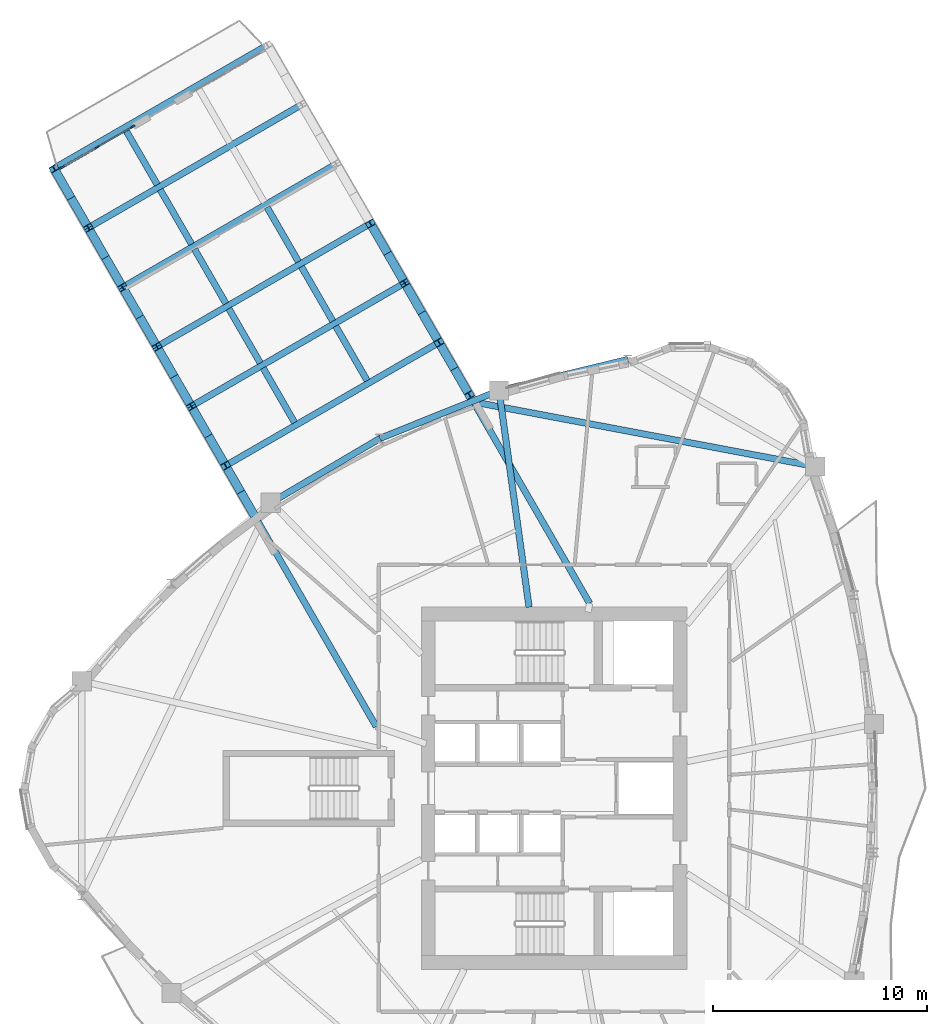
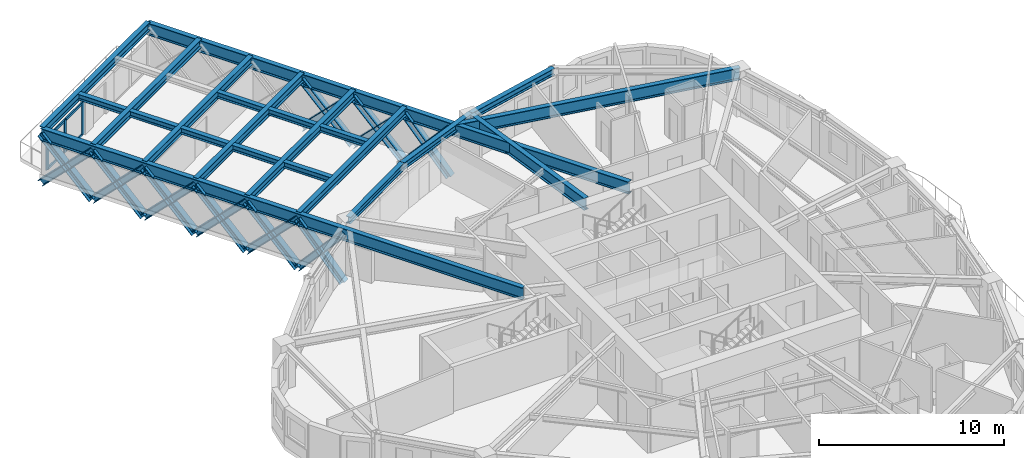
# One storey, part 2 of 14: 25 members, 21 beams, 1 element without a shape of its own.
"""IFC4 building model written with IfcOpenShell, lengths in metres."""

from ifc_helpers import new_model, si_unit, direction, frame, origin, origin_2d, place, context, subcontext, project, spatial, rectangle, i_section, extrude, source, transform, mapped, material, layer, layer_set, material_profile, profile_set, type_object, element, aggregate, save


model = new_model("IFC4")

# Units and contexts
model_context = context("Model", 3, precision=1e-05, world=origin(), true_north=direction((0.0, 1.0)))
body_context = subcontext(model_context, "Body", "Model", "MODEL_VIEW")
ifc_project = project(units=[si_unit("LENGTHUNIT", "METRE"), si_unit("AREAUNIT", "SQUARE_METRE"), si_unit("VOLUMEUNIT", "CUBIC_METRE"), si_unit("PLANEANGLEUNIT", "RADIAN"), si_unit("MASSUNIT", "GRAM", prefix="KILO")], contexts=[model_context])

# Site, building, storey
site_placement = place(None, origin())
site = spatial("IfcSite", under=ifc_project, at=site_placement, CompositionType="ELEMENT")
building_placement = place(site_placement, origin())
building = spatial("IfcBuilding", under=site, at=building_placement, Name="Qafzar Sky-Pleat Residences", CompositionType="ELEMENT")
storey_placement = place(building_placement, frame((0.0, 0.0, 86.39990234375)))
storey = spatial("IfcBuildingStorey", under=building, at=storey_placement, Name="L25", CompositionType="ELEMENT", Elevation=86.39990234375)

# Beams
ifc_material_1 = material(Name="Steel S355", Category="steel")
ifc_material_profile_1 = material_profile(ifc_material_1, i_section(OverallWidth=0.300048828125, OverallDepth=0.449951171875, WebThickness=0.013916015625, FlangeThickness=0.02587890625, FilletRadius=0.027099609375, at=origin_2d()), Name="HEB 450")
ifc_profile_set_1 = profile_set([ifc_material_profile_1], Name="Steel S355")
beam_type_1 = type_object("IfcBeamType", Name="BM-SPAN-HEB450", PredefinedType="SPANDREL", material=ifc_profile_set_1)
shared_shape_1 = source(origin(), body_context, "Body", "SweptSolid", [
    extrude(i_section(OverallWidth=0.300048828125, OverallDepth=0.449951171875, WebThickness=0.013916015625, FlangeThickness=0.02587890625, FilletRadius=0.027099609375, at=origin_2d()), origin(), (0.0, 0.0, 1.0), 5.914794921875),
])
beam_1_placement = place(storey_placement, frame((22.2265625, 42.331298828125, 2.72314453125), z_axis=(-0.861437212356, -0.50786408533, 0.0), x_axis=(0.50786408533, -0.861437212356, 0.0)))
element("IfcBeam", 1, at=beam_1_placement, inside=storey, type_object=beam_type_1, Name="L25 Perimeter Spandrel Beam 16", PredefinedType="SPANDREL", context=body_context, shape_type="MappedRepresentation", body=[
    mapped(shared_shape_1, transform((0.0, 0.0, 0.0), x_axis=(1.0, 0.0, 0.0), y_axis=(0.0, 1.0, 0.0), z_axis=(0.0, 0.0, 1.0), scale=1.0)),
])
shared_shape_2 = source(origin(), body_context, "Body", "SweptSolid", [
    extrude(i_section(OverallWidth=0.300048828125, OverallDepth=0.449951171875, WebThickness=0.013916015625, FlangeThickness=0.02587890625, FilletRadius=0.027099609375, at=origin_2d()), origin(), (0.0, 0.0, 1.0), 5.98291015625),
])
beam_2_placement = place(storey_placement, frame((27.778564453125, 44.560546875, 2.72314453125), z_axis=(-0.927989024901, -0.372607527653, 0.0), x_axis=(0.372607527653, -0.927989024901, 0.0)))
element("IfcBeam", 2, at=beam_2_placement, inside=storey, type_object=beam_type_1, Name="L25 Perimeter Spandrel Beam 15", PredefinedType="SPANDREL", context=body_context, shape_type="MappedRepresentation", body=[
    mapped(shared_shape_2, transform((0.0, 0.0, 0.0), x_axis=(1.0, 0.0, 0.0), y_axis=(0.0, 1.0, 0.0), z_axis=(0.0, 0.0, 1.0), scale=1.0)),
])
shared_shape_3 = source(origin(), body_context, "Body", "SweptSolid", [
    extrude(i_section(OverallWidth=0.300048828125, OverallDepth=0.449951171875, WebThickness=0.013916015625, FlangeThickness=0.02587890625, FilletRadius=0.027099609375, at=origin_2d()), origin(), (0.0, 0.0, 1.0), 6.18212890625),
])
beam_3_placement = place(storey_placement, frame((33.787109375, 46.015380859375, 2.72314453125), z_axis=(-0.971916102979, -0.235327620074, 0.0), x_axis=(0.235327620074, -0.971916102979, 0.0)))
element("IfcBeam", 3, at=beam_3_placement, inside=storey, type_object=beam_type_1, Name="L25 Perimeter Spandrel Beam 14", PredefinedType="SPANDREL", context=body_context, shape_type="MappedRepresentation", body=[
    mapped(shared_shape_3, transform((0.0, 0.0, 0.0), x_axis=(1.0, 0.0, 0.0), y_axis=(0.0, 1.0, 0.0), z_axis=(0.0, 0.0, 1.0), scale=1.0)),
])
ifc_material_2 = material(Name="Steel S460", Category="steel")
ifc_material_profile_2 = material_profile(ifc_material_2, i_section(OverallWidth=0.300048828125, OverallDepth=0.800048828125, WebThickness=0.017578125, FlangeThickness=0.032958984375, FilletRadius=0.030029296875, at=origin_2d()), Name="HEB 800")
ifc_profile_set_2 = profile_set([ifc_material_profile_2], Name="Steel S460")
beam_type_2 = type_object("IfcBeamType", Name="BM-CHORD-HEB800", PredefinedType="BEAM", material=ifc_profile_set_2)
shared_shape_4 = source(origin(), body_context, "Body", "SweptSolid", [
    extrude(i_section(OverallWidth=0.300048828125, OverallDepth=0.800048828125, WebThickness=0.017578125, FlangeThickness=0.032958984375, FilletRadius=0.030029296875, at=origin_2d()), origin(), (0.0, 0.0, 1.0), 10.20703125),
])
beam_4_placement = place(storey_placement, frame((27.778564453125, 44.560546875, 2.548095703125), z_axis=(0.137220936727, -0.990540465869, 0.0), x_axis=(0.990540465869, 0.137220936727, 0.0)))
element("IfcBeam", 4, at=beam_4_placement, inside=storey, type_object=beam_type_2, Name="L25 Radial Floor Girder 15", PredefinedType="BEAM", context=body_context, shape_type="MappedRepresentation", body=[
    mapped(shared_shape_4, transform((0.0, 0.0, 0.0), x_axis=(1.0, 0.0, 0.0), y_axis=(0.0, 1.0, 0.0), z_axis=(0.0, 0.0, 1.0), scale=1.0)),
])
shared_shape_5 = source(origin(), body_context, "Body", "SweptSolid", [
    extrude(i_section(OverallWidth=0.300048828125, OverallDepth=0.800048828125, WebThickness=0.017578125, FlangeThickness=0.032958984375, FilletRadius=0.030029296875, at=origin_2d()), origin(), (0.0, 0.0, 1.0), 30.072998046875),
])
for number, where, z_axis, x_axis, name in (
    (5, (22.04541015625, 28.884033203125, 2.548095703125), (-0.50000354778, 0.866023355463, 0.0), (-0.866023355463, -0.50000354778, 0.0), "L25 SB-2 Truss Chord L1"),
    (6, (32.004638671875, 34.634033203125, 2.548095703125), (-0.50000354778, 0.866023355463, 0.0), (-0.866023355463, -0.50000354778, 0.0), "L25 SB-2 Truss Chord R1"),
):
    element("IfcBeam", number, at=place(storey_placement, frame(where, z_axis=z_axis, x_axis=x_axis)), inside=storey, type_object=beam_type_2, Name=name, PredefinedType="BEAM", context=body_context, shape_type="MappedRepresentation", body=[
        mapped(shared_shape_5, transform((0.0, 0.0, 0.0), x_axis=(1.0, 0.0, 0.0), y_axis=(0.0, 1.0, 0.0), z_axis=(0.0, 0.0, 1.0), scale=1.0)),
    ])
shared_shape_6 = source(origin(), body_context, "Body", "SweptSolid", [
    extrude(i_section(OverallWidth=0.300048828125, OverallDepth=0.800048828125, WebThickness=0.017578125, FlangeThickness=0.032958984375, FilletRadius=0.030029296875, at=origin_2d()), origin(), (0.0, 0.0, 1.0), 16.234619140625),
])
beam_5_placement = place(storey_placement, frame((42.532470703125, 41.01904296875, 2.548095703125), z_axis=(-0.982644848636, 0.185496904151, 0.0), x_axis=(-0.185496904151, -0.982644848636, 0.0)))
element("IfcBeam", 7, at=beam_5_placement, inside=storey, type_object=beam_type_2, Name="L25 SB-2 Wing-Belt Top Chord R", PredefinedType="BEAM", context=body_context, shape_type="MappedRepresentation", body=[
    mapped(shared_shape_6, transform((0.0, 0.0, 0.0), x_axis=(1.0, 0.0, 0.0), y_axis=(0.0, 1.0, 0.0), z_axis=(0.0, 0.0, 1.0), scale=1.0)),
])
ifc_material_profile_3 = material_profile(ifc_material_1, i_section(OverallWidth=0.300048828125, OverallDepth=0.550048828125, WebThickness=0.014892578125, FlangeThickness=0.029052734375, FilletRadius=0.027099609375, at=origin_2d()), Name="HEB 550")
ifc_profile_set_3 = profile_set([ifc_material_profile_3], Name="Steel S355")
beam_type_3 = type_object("IfcBeamType", Name="BM-GIRD-HEB550", PredefinedType="BEAM", material=ifc_profile_set_3)
shared_shape_7 = source(origin(), body_context, "Body", "SweptSolid", [
    extrude(i_section(OverallWidth=0.300048828125, OverallDepth=0.550048828125, WebThickness=0.014892578125, FlangeThickness=0.029052734375, FilletRadius=0.027099609375, at=origin_2d()), origin(), (0.0, 0.0, 1.0), 11.5),
])
for number, where, z_axis, x_axis, name in (
    (8, (15.0185546875, 41.054931640625, 2.68798828125), (0.866024020559, 0.500002395808, 0.0), (-0.500002395808, 0.866024020559, 0.0), "L25 SB-2 Transverse Girder 1"),
    (9, (13.41650390625, 43.82958984375, 2.68798828125), (0.866024020559, 0.500002395808, 0.0), (-0.500002395808, 0.866024020559, 0.0), "L25 SB-2 Transverse Girder 2"),
    (10, (11.814697265625, 46.604248046875, 2.68798828125), (0.866024020559, 0.500002395808, 0.0), (-0.500002395808, 0.866024020559, 0.0), "L25 SB-2 Transverse Girder 3"),
    (11, (10.212646484375, 49.37890625, 2.68798828125), (0.866024020559, 0.500002395808, 0.0), (-0.500002395808, 0.866024020559, 0.0), "L25 SB-2 Transverse Girder 4"),
    (12, (8.61083984375, 52.153564453125, 2.68798828125), (0.866024020559, 0.500002395808, 0.0), (-0.500002395808, 0.866024020559, 0.0), "L25 SB-2 Transverse Girder 5"),
    (13, (7.0087890625, 54.927978515625, 2.68798828125), (0.866024020559, 0.500002395808, 0.0), (-0.500002395808, 0.866024020559, 0.0), "L25 SB-2 Transverse Girder 6"),
):
    element("IfcBeam", number, at=place(storey_placement, frame(where, z_axis=z_axis, x_axis=x_axis)), inside=storey, type_object=beam_type_3, Name=name, PredefinedType="BEAM", context=body_context, shape_type="MappedRepresentation", body=[
        mapped(shared_shape_7, transform((0.0, 0.0, 0.0), x_axis=(1.0, 0.0, 0.0), y_axis=(0.0, 1.0, 0.0), z_axis=(0.0, 0.0, 1.0), scale=1.0)),
    ])
ifc_material_profile_4 = material_profile(ifc_material_1, i_section(OverallWidth=0.300048828125, OverallDepth=0.389892578125, WebThickness=0.010986328125, FlangeThickness=0.01904296875, FilletRadius=0.027099609375, at=origin_2d()), Name="HEA 400")
ifc_profile_set_4 = profile_set([ifc_material_profile_4], Name="Steel S355")
beam_type_4 = type_object("IfcBeamType", Name="BM-SBJ-HEA400", PredefinedType="JOIST", material=ifc_profile_set_4)
shared_shape_8 = source(origin(), body_context, "Body", "SweptSolid", [
    extrude(i_section(OverallWidth=0.300048828125, OverallDepth=0.389892578125, WebThickness=0.010986328125, FlangeThickness=0.01904296875, FilletRadius=0.027099609375, at=origin_2d()), origin(), (0.0, 0.0, 1.0), 2.933837890625),
])
for number, where, z_axis, x_axis, name in (
    (14, (21.623779296875, 45.0244140625, 2.76806640625), (-0.500032187732, 0.866006819391, 0.0), (-0.866006819391, -0.500032187732, 0.0), "L25 SB-2 Sky-Bar Secondary Deck Joist 2.1"),
    (15, (20.021728515625, 47.799072265625, 2.76806640625), (-0.500032187732, 0.866006819391, 0.0), (-0.866006819391, -0.500032187732, 0.0), "L25 SB-2 Sky-Bar Secondary Deck Joist 3.1"),
    (16, (16.635498046875, 45.843994140625, 2.76806640625), (-0.499969776107, 0.866042852854, 0.0), (-0.866042852854, -0.499969776107, 0.0), "L25 SB-2 Sky-Bar Secondary Deck Joist 3.2"),
    (17, (18.419921875, 50.57373046875, 2.76806640625), (-0.500032187732, 0.866006819391, 0.0), (-0.866006819391, -0.500032187732, 0.0), "L25 SB-2 Sky-Bar Secondary Deck Joist 4.1"),
    (18, (15.03369140625, 48.61865234375, 2.76806640625), (-0.500032187732, 0.866006819391, 0.0), (-0.866006819391, -0.500032187732, 0.0), "L25 SB-2 Sky-Bar Secondary Deck Joist 4.2"),
    (19, (13.431640625, 51.393310546875, 2.76806640625), (-0.499969776107, 0.866042852854, 0.0), (-0.866042852854, -0.499969776107, 0.0), "L25 SB-2 Sky-Bar Secondary Deck Joist 5.2"),
):
    element("IfcBeam", number, at=place(storey_placement, frame(where, z_axis=z_axis, x_axis=x_axis)), inside=storey, type_object=beam_type_4, Name=name, PredefinedType="JOIST", context=body_context, shape_type="MappedRepresentation", body=[
        mapped(shared_shape_8, transform((0.0, 0.0, 0.0), x_axis=(1.0, 0.0, 0.0), y_axis=(0.0, 1.0, 0.0), z_axis=(0.0, 0.0, 1.0), scale=1.0)),
    ])
shared_shape_9 = source(origin(), body_context, "Body", "SweptSolid", [
    extrude(i_section(OverallWidth=0.300048828125, OverallDepth=0.389892578125, WebThickness=0.010986328125, FlangeThickness=0.01904296875, FilletRadius=0.027099609375, at=origin_2d()), origin(), (0.0, 0.0, 1.0), 2.93408203125),
])
beam_6_placement = place(storey_placement, frame((18.237548828125, 43.0693359375, 2.76806640625), z_axis=(-0.499996155683, 0.86602762329, 0.0), x_axis=(-0.86602762329, -0.499996155683, 0.0)))
element("IfcBeam", 20, at=beam_6_placement, inside=storey, type_object=beam_type_4, Name="L25 SB-2 Sky-Bar Secondary Deck Joist 2.2", PredefinedType="JOIST", context=body_context, shape_type="MappedRepresentation", body=[
    mapped(shared_shape_9, transform((0.0, 0.0, 0.0), x_axis=(1.0, 0.0, 0.0), y_axis=(0.0, 1.0, 0.0), z_axis=(0.0, 0.0, 1.0), scale=1.0)),
])
shared_shape_10 = source(origin(), body_context, "Body", "SweptSolid", [
    extrude(i_section(OverallWidth=0.300048828125, OverallDepth=0.389892578125, WebThickness=0.010986328125, FlangeThickness=0.01904296875, FilletRadius=0.027099609375, at=origin_2d()), origin(), (0.0, 0.0, 1.0), 2.93359375),
])
beam_7_placement = place(storey_placement, frame((11.829833984375, 54.16796875, 2.76806640625), z_axis=(-0.500068224108, 0.865986010994, 0.0), x_axis=(-0.865986010994, -0.500068224108, 0.0)))
element("IfcBeam", 21, at=beam_7_placement, inside=storey, type_object=beam_type_4, Name="L25 SB-2 Sky-Bar Secondary Deck Joist 6.2", PredefinedType="JOIST", context=body_context, shape_type="MappedRepresentation", body=[
    mapped(shared_shape_10, transform((0.0, 0.0, 0.0), x_axis=(1.0, 0.0, 0.0), y_axis=(0.0, 1.0, 0.0), z_axis=(0.0, 0.0, 1.0), scale=1.0)),
])

# Members
ifc_material_profile_5 = material_profile(ifc_material_2, i_section(OverallWidth=0.40087890625, OverallDepth=0.39892578125, WebThickness=0.02294921875, FlangeThickness=0.035888671875, FilletRadius=0.014892578125, at=origin_2d()), Name="HD 400x314")
ifc_profile_set_5 = profile_set([ifc_material_profile_5], Name="Steel S460")
member_type_1 = type_object("IfcMemberType", Name="MEM-SB-DIAG", PredefinedType="BRACE", material=ifc_profile_set_5)
shared_shape_11 = source(origin(), body_context, "Body", "SweptSolid", [
    extrude(i_section(OverallWidth=0.40087890625, OverallDepth=0.39892578125, WebThickness=0.02294921875, FlangeThickness=0.035888671875, FilletRadius=0.014892578125, at=origin_2d()), origin(), (0.0, 0.0, 1.0), 4.292236328125),
])
for number, where, z_axis, x_axis, name in (
    (22, (16.4404296875, 38.59228515625, -0.6669921875), (-0.331268023951, 0.573746661674, 0.749050241656), (-0.866015446554, -0.500017246033, 0.0), "L25 SB-2 Truss Web Diagonal L1A"),
    (23, (16.4404296875, 38.59228515625, 2.548095703125), (-0.331268023951, 0.573746661674, -0.749050241656), (-0.866015446554, -0.500017246033, 0.0), "L25 SB-2 Truss Web Diagonal L1B"),
    (24, (26.399658203125, 44.34228515625, -0.6669921875), (-0.331268023951, 0.573746661674, 0.749050241656), (-0.866015446554, -0.500017246033, 0.0), "L25 SB-2 Truss Web Diagonal R1A"),
    (25, (26.399658203125, 44.34228515625, 2.548095703125), (-0.331268023951, 0.573746661674, -0.749050241656), (-0.866015446554, -0.500017246033, 0.0), "L25 SB-2 Truss Web Diagonal R1B"),
):
    element("IfcMember", number, at=place(storey_placement, frame(where, z_axis=z_axis, x_axis=x_axis)), inside=storey, type_object=member_type_1, Name=name, PredefinedType="BRACE", context=body_context, shape_type="MappedRepresentation", body=[
        mapped(shared_shape_11, transform((0.0, 0.0, 0.0), x_axis=(1.0, 0.0, 0.0), y_axis=(0.0, 1.0, 0.0), z_axis=(0.0, 0.0, 1.0), scale=1.0)),
    ])
shared_shape_12 = source(origin(), body_context, "Body", "SweptSolid", [
    extrude(i_section(OverallWidth=0.40087890625, OverallDepth=0.39892578125, WebThickness=0.02294921875, FlangeThickness=0.035888671875, FilletRadius=0.014892578125, at=origin_2d()), origin(), (0.0, 0.0, 1.0), 4.5390625),
])
for number, where, z_axis, x_axis, name in (
    (26, (15.0185546875, 41.054931640625, -0.6669921875), (-0.35295609901, 0.611299308938, 0.708332652829), (-0.866011737025, -0.500023670775, 0.0), "L25 SB-2 Truss Web Diagonal L2A"),
    (27, (15.0185546875, 41.054931640625, 2.548095703125), (-0.35295609901, 0.611299308938, -0.708332652829), (-0.866011737025, -0.500023670775, 0.0), "L25 SB-2 Truss Web Diagonal L2B"),
    (28, (11.814697265625, 46.604248046875, -0.6669921875), (-0.35295609901, 0.611299308938, 0.708332652829), (-0.866011737025, -0.500023670775, 0.0), "L25 SB-2 Truss Web Diagonal L4A"),
    (29, (11.814697265625, 46.604248046875, 2.548095703125), (-0.35295609901, 0.611299308938, -0.708332652829), (-0.866011737025, -0.500023670775, 0.0), "L25 SB-2 Truss Web Diagonal L4B"),
    (30, (24.977783203125, 46.804931640625, -0.6669921875), (-0.35295609901, 0.611299308938, 0.708332652829), (-0.866011737025, -0.500023670775, 0.0), "L25 SB-2 Truss Web Diagonal R2A"),
    (31, (24.977783203125, 46.804931640625, 2.548095703125), (-0.35295609901, 0.611299308938, -0.708332652829), (-0.866011737025, -0.500023670775, 0.0), "L25 SB-2 Truss Web Diagonal R2B"),
):
    element("IfcMember", number, at=place(storey_placement, frame(where, z_axis=z_axis, x_axis=x_axis)), inside=storey, type_object=member_type_1, Name=name, PredefinedType="BRACE", context=body_context, shape_type="MappedRepresentation", body=[
        mapped(shared_shape_12, transform((0.0, 0.0, 0.0), x_axis=(1.0, 0.0, 0.0), y_axis=(0.0, 1.0, 0.0), z_axis=(0.0, 0.0, 1.0), scale=1.0)),
    ])
shared_shape_13 = source(origin(), body_context, "Body", "SweptSolid", [
    extrude(i_section(OverallWidth=0.40087890625, OverallDepth=0.39892578125, WebThickness=0.02294921875, FlangeThickness=0.035888671875, FilletRadius=0.014892578125, at=origin_2d()), origin(), (0.0, 0.0, 1.0), 4.538818359375),
])
for number, where, z_axis, x_axis, name in (
    (32, (13.41650390625, 43.82958984375, -0.6669921875), (-0.352909010572, 0.611310913756, 0.708346099714), (-0.866044732957, -0.499966519396, 0.0), "L25 SB-2 Truss Web Diagonal L3A"),
    (33, (13.41650390625, 43.82958984375, 2.548095703125), (-0.352909010572, 0.611310913756, -0.708346099714), (-0.866044732957, -0.499966519396, 0.0), "L25 SB-2 Truss Web Diagonal L3B"),
    (34, (10.212646484375, 49.37890625, -0.6669921875), (-0.352909010572, 0.611310913756, 0.708346099714), (-0.866044732957, -0.499966519396, 0.0), "L25 SB-2 Truss Web Diagonal L5A"),
    (35, (10.212646484375, 49.37890625, 2.548095703125), (-0.352909010572, 0.611310913756, -0.708346099714), (-0.866044732957, -0.499966519396, 0.0), "L25 SB-2 Truss Web Diagonal L5B"),
    (36, (8.61083984375, 52.153564453125, -0.6669921875), (-0.352967704444, 0.611265619216, 0.708355943282), (-0.865992683363, -0.500056669151, 0.0), "L25 SB-2 Truss Web Diagonal L6A"),
    (37, (8.61083984375, 52.153564453125, 2.548095703125), (-0.352967704444, 0.611265619216, -0.708355943282), (-0.865992683363, -0.500056669151, 0.0), "L25 SB-2 Truss Web Diagonal L6B"),
    (38, (23.375732421875, 49.57958984375, -0.6669921875), (-0.352909010572, 0.611310913756, 0.708346099714), (-0.866044732957, -0.499966519396, 0.0), "L25 SB-2 Truss Web Diagonal R3A"),
    (39, (23.375732421875, 49.57958984375, 2.548095703125), (-0.352909010572, 0.611310913756, -0.708346099714), (-0.866044732957, -0.499966519396, 0.0), "L25 SB-2 Truss Web Diagonal R3B"),
):
    element("IfcMember", number, at=place(storey_placement, frame(where, z_axis=z_axis, x_axis=x_axis)), inside=storey, type_object=member_type_1, Name=name, PredefinedType="BRACE", context=body_context, shape_type="MappedRepresentation", body=[
        mapped(shared_shape_13, transform((0.0, 0.0, 0.0), x_axis=(1.0, 0.0, 0.0), y_axis=(0.0, 1.0, 0.0), z_axis=(0.0, 0.0, 1.0), scale=1.0)),
    ])

# Curtain wall, members
ifc_material_3 = material(Name="Anodised bronze aluminium framing", Category="aluminium")
ifc_layer = layer(ifc_material_3, 0.239990234375)
ifc_layer_set = layer_set([ifc_layer], Name="Anodised bronze aluminium framing")
curtain_wall_type = type_object("IfcCurtainWallType", Name="CW-SYS-02", PredefinedType="NOTDEFINED", material=ifc_layer_set)
curtain_wall_placement = place(storey_placement, origin())
curtain_wall = element("IfcCurtainWall", 40, at=curtain_wall_placement, inside=storey, type_object=curtain_wall_type, Name="L25 CW-02 Curtain Wall CW-L25-SB-2-PROW-L", PredefinedType="NOTDEFINED")
ifc_material_4 = material(Name="Anodised bronze aluminium", Category="aluminium")
ifc_material_profile_6 = material_profile(ifc_material_4, rectangle(XDim=0.074951171875, YDim=0.179931640625, at=origin_2d()), Name="ALU TRANSOM 75x180")
ifc_profile_set_6 = profile_set([ifc_material_profile_6], Name="Anodised bronze aluminium")
member_type_2 = type_object("IfcMemberType", Name="CWT-02", PredefinedType="USERDEFINED", material=ifc_profile_set_6)
shared_shape_14 = source(origin(), body_context, "Body", "SweptSolid", [
    extrude(rectangle(XDim=0.074951171875, YDim=0.179931640625, at=origin_2d()), origin(), (0.0, 0.0, 1.0), 1.82763671875),
])
member_1_placement = place(storey_placement, frame((7.417236328125, 54.990478515625, 0.03759765625), z_axis=(0.866023193876, 0.500003827654, 0.0), x_axis=(-0.500003827654, 0.866023193876, 0.0)))
member_1 = element("IfcMember", 41, at=member_1_placement, type_object=member_type_2, Name="CW-02 transom 1.1", ObjectType="TRANSOM", PredefinedType="USERDEFINED", context=body_context, shape_type="MappedRepresentation", body=[
    mapped(shared_shape_14, transform((0.0, 0.0, 0.0), x_axis=(1.0, 0.0, 0.0), y_axis=(0.0, 1.0, 0.0), z_axis=(0.0, 0.0, 1.0), scale=1.0)),
])
member_2_placement = place(storey_placement, frame((7.417236328125, 54.990478515625, 2.092529296875), z_axis=(0.866023193876, 0.500003827654, 0.0), x_axis=(-0.500003827654, 0.866023193876, 0.0)))
member_2 = element("IfcMember", 42, at=member_2_placement, type_object=member_type_2, Name="CW-02 transom 1.2", ObjectType="TRANSOM", PredefinedType="USERDEFINED", context=body_context, shape_type="MappedRepresentation", body=[
    mapped(shared_shape_14, transform((0.0, 0.0, 0.0), x_axis=(1.0, 0.0, 0.0), y_axis=(0.0, 1.0, 0.0), z_axis=(0.0, 0.0, 1.0), scale=1.0)),
])
shared_shape_15 = source(origin(), body_context, "Body", "SweptSolid", [
    extrude(rectangle(XDim=0.074951171875, YDim=0.179931640625, at=origin_2d()), origin(), (0.0, 0.0, 1.0), 1.827392578125),
])
member_3_placement = place(storey_placement, frame((9.06494140625, 55.94189453125, 0.03759765625), z_axis=(0.865989791641, 0.500061676969, 0.0), x_axis=(-0.500061676969, 0.865989791641, 0.0)))
member_3 = element("IfcMember", 43, at=member_3_placement, type_object=member_type_2, Name="CW-02 transom 2.1", ObjectType="TRANSOM", PredefinedType="USERDEFINED", context=body_context, shape_type="MappedRepresentation", body=[
    mapped(shared_shape_15, transform((0.0, 0.0, 0.0), x_axis=(1.0, 0.0, 0.0), y_axis=(0.0, 1.0, 0.0), z_axis=(0.0, 0.0, 1.0), scale=1.0)),
])
member_4_placement = place(storey_placement, frame((9.06494140625, 55.94189453125, 2.092529296875), z_axis=(0.865989791641, 0.500061676969, 0.0), x_axis=(-0.500061676969, 0.865989791641, 0.0)))
member_4 = element("IfcMember", 44, at=member_4_placement, type_object=member_type_2, Name="CW-02 transom 2.2", ObjectType="TRANSOM", PredefinedType="USERDEFINED", context=body_context, shape_type="MappedRepresentation", body=[
    mapped(shared_shape_15, transform((0.0, 0.0, 0.0), x_axis=(1.0, 0.0, 0.0), y_axis=(0.0, 1.0, 0.0), z_axis=(0.0, 0.0, 1.0), scale=1.0)),
])
ifc_material_profile_7 = material_profile(ifc_material_4, rectangle(XDim=0.074951171875, YDim=0.239990234375, at=origin_2d()), Name="ALU MULLION 75x240")
ifc_profile_set_7 = profile_set([ifc_material_profile_7], Name="Anodised bronze aluminium")
member_type_3 = type_object("IfcMemberType", Name="CWM-02", PredefinedType="MULLION", material=ifc_profile_set_7)
shared_shape_16 = source(origin(), body_context, "Body", "SweptSolid", [
    extrude(rectangle(XDim=0.074951171875, YDim=0.239990234375, at=origin_2d()), origin(), (0.0, 0.0, 1.0), 2.130126953125),
])
member_5_placement = place(storey_placement, frame((7.384765625, 54.971923828125, 0.0), z_axis=(0.0, 0.0, 1.0), x_axis=(-0.49999760802, 0.86602678479, 0.0)))
member_5 = element("IfcMember", 45, at=member_5_placement, type_object=member_type_3, Name="CW-02 mullion 1", PredefinedType="MULLION", context=body_context, shape_type="MappedRepresentation", body=[
    mapped(shared_shape_16, transform((0.0, 0.0, 0.0), x_axis=(1.0, 0.0, 0.0), y_axis=(0.0, 1.0, 0.0), z_axis=(0.0, 0.0, 1.0), scale=1.0)),
])
member_6_placement = place(storey_placement, frame((9.032470703125, 55.923095703125, 0.0), z_axis=(0.0, 0.0, 1.0), x_axis=(-0.49999760802, 0.86602678479, 0.0)))
member_6 = element("IfcMember", 46, at=member_6_placement, type_object=member_type_3, Name="CW-02 mullion 2", PredefinedType="MULLION", context=body_context, shape_type="MappedRepresentation", body=[
    mapped(shared_shape_16, transform((0.0, 0.0, 0.0), x_axis=(1.0, 0.0, 0.0), y_axis=(0.0, 1.0, 0.0), z_axis=(0.0, 0.0, 1.0), scale=1.0)),
])
member_7_placement = place(storey_placement, frame((10.679931640625, 56.874267578125, 0.0), z_axis=(0.0, 0.0, 1.0), x_axis=(-0.49999760802, 0.86602678479, 0.0)))
member_7 = element("IfcMember", 47, at=member_7_placement, type_object=member_type_3, Name="CW-02 mullion 3", PredefinedType="MULLION", context=body_context, shape_type="MappedRepresentation", body=[
    mapped(shared_shape_16, transform((0.0, 0.0, 0.0), x_axis=(1.0, 0.0, 0.0), y_axis=(0.0, 1.0, 0.0), z_axis=(0.0, 0.0, 1.0), scale=1.0)),
])
aggregate(curtain_wall, [member_5, member_6, member_7, member_1, member_2, member_3, member_4])

save(model, "model.ifc")
